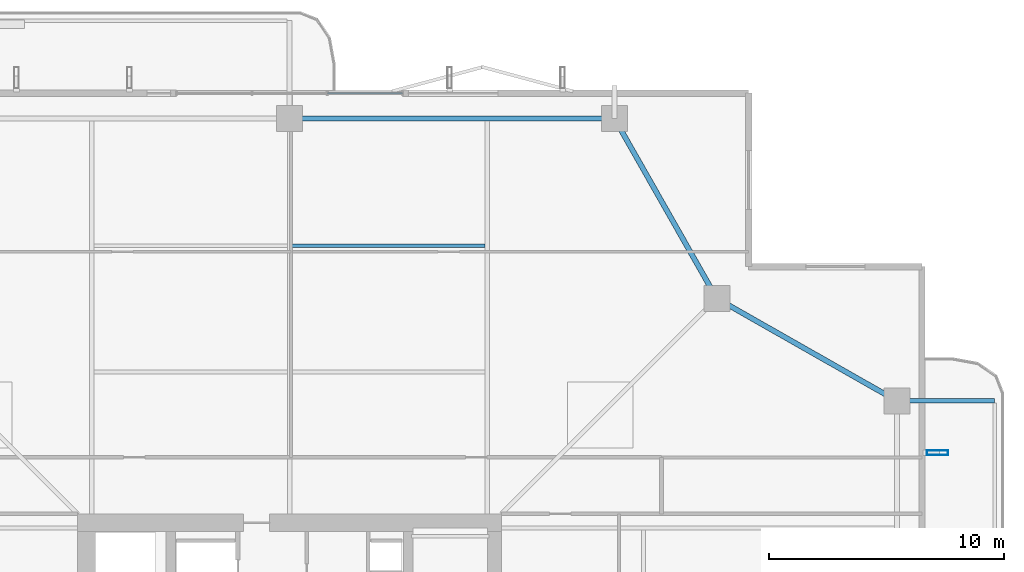
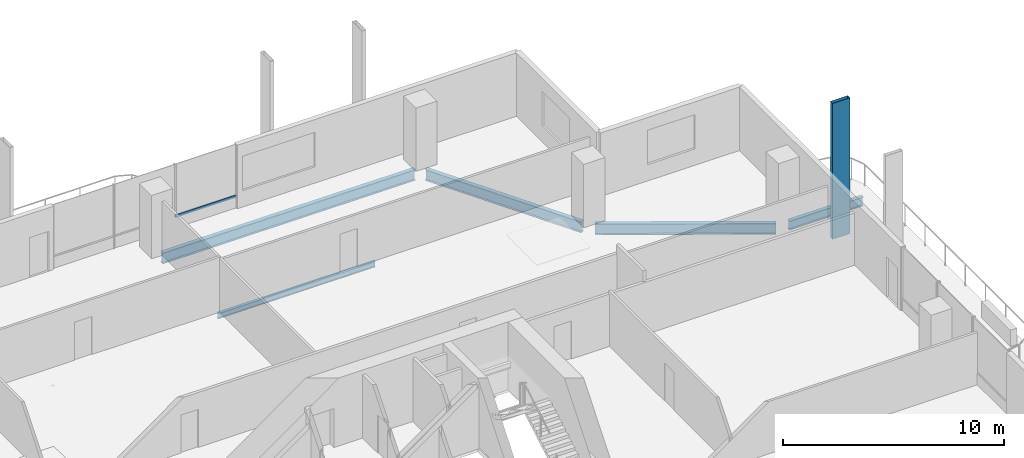
# One storey, part 14 of 24: 5 beams, 2 members, 1 element without a shape of its own.
"""IFC4 building model written with IfcOpenShell, lengths in metres."""

from ifc_helpers import new_model, si_unit, direction, frame, origin, origin_2d, place, context, subcontext, project, spatial, hollow_rectangle, i_section, extrude, material, layer, layer_set, material_profile, profile_set, type_object, element, aggregate, save


model = new_model("IFC4")

# Units and contexts
model_context = context("Model", 3, precision=1e-05, world=origin(), true_north=direction((0.0, 1.0)))
body_context = subcontext(model_context, "Body", "Model", "MODEL_VIEW")
ifc_project = project(units=[si_unit("LENGTHUNIT", "METRE"), si_unit("AREAUNIT", "SQUARE_METRE"), si_unit("VOLUMEUNIT", "CUBIC_METRE"), si_unit("PLANEANGLEUNIT", "RADIAN"), si_unit("MASSUNIT", "GRAM", prefix="KILO")], contexts=[model_context])

# Site, building, storey
site_placement = place(None, origin())
site = spatial("IfcSite", under=ifc_project, at=site_placement, CompositionType="ELEMENT")
building_placement = place(site_placement, origin())
building = spatial("IfcBuilding", under=site, at=building_placement, Name="Belovzor Exchange Tower", CompositionType="ELEMENT")
storey_placement = place(building_placement, frame((0.0, 0.0, 226.199951171875)))
storey = spatial("IfcBuildingStorey", under=building, at=storey_placement, Name="L56", CompositionType="ELEMENT", Elevation=226.199951171875)

# Beams
ifc_material_1 = material(Name="Steel S355", Category="steel")
ifc_material_profile_1 = material_profile(ifc_material_1, i_section(OverallWidth=0.199951171875, OverallDepth=0.5, WebThickness=0.01025390625, FlangeThickness=0.01611328125, at=origin_2d()))
ifc_profile_set_1 = profile_set([ifc_material_profile_1], Name="Steel S355")
beam_type_1 = type_object("IfcBeamType", Name="Planted Balcony Cantilever Beam IPE 500", PredefinedType="BEAM", material=ifc_profile_set_1)
beam_1_placement = place(storey_placement, frame((54.903076171875, 42.60009765625, -0.5), z_axis=(1.0, 0.0, 0.0), x_axis=(0.0, 1.0, 0.0)))
element("IfcBeam", 1, at=beam_1_placement, inside=storey, type_object=beam_type_1, Name="BC-500 Planted Balcony Cantilever Beam IPE 500", PredefinedType="BEAM", context=body_context, shape_type="SweptSolid", body=[
    extrude(i_section(OverallWidth=0.199951171875, OverallDepth=0.5, WebThickness=0.01025390625, FlangeThickness=0.01611328125, at=origin_2d()), origin(), (0.0, 0.0, 1.0), 3.849853515625),
])
ifc_material_2 = material(Name="Steel S355", Category="steel")
ifc_material_profile_2 = material_profile(ifc_material_2, i_section(OverallWidth=0.14990234375, OverallDepth=0.300048828125, WebThickness=0.007080078125, FlangeThickness=0.0107421875, at=origin_2d()))
ifc_profile_set_2 = profile_set([ifc_material_profile_2], Name="Steel S355")
beam_type_2 = type_object("IfcBeamType", Name="Secondary Trim Floor Joist IPE 300", PredefinedType="BEAM", material=ifc_profile_set_2)
beam_2_placement = place(storey_placement, frame((28.89501953125, 49.18701171875, -0.39990234375), z_axis=(1.0, 0.0, 0.0), x_axis=(0.0, 1.0, 0.0)))
element("IfcBeam", 2, at=beam_2_placement, inside=storey, type_object=beam_type_2, Name="FJ-300 Secondary Trim Floor Joist IPE 300", PredefinedType="BEAM", context=body_context, shape_type="SweptSolid", body=[
    extrude(i_section(OverallWidth=0.14990234375, OverallDepth=0.300048828125, WebThickness=0.007080078125, FlangeThickness=0.0107421875, at=origin_2d()), origin(), (0.0, 0.0, 1.0), 8.2099609375),
])

# Member
ifc_material_3 = material(Name="Extruded Architectural Terracotta on Steel S355 Carrier", Category="masonry")
ifc_material_profile_3 = material_profile(ifc_material_3, hollow_rectangle(XDim=0.199951171875, YDim=0.89990234375, WallThickness=0.011962890625, at=origin_2d()))
ifc_profile_set_3 = profile_set([ifc_material_profile_3], Name="Extruded Architectural Terracotta on Steel S355 Carrier")
member_type_1 = type_object("IfcMemberType", Name="Sweeping Terracotta Baguette Fin Assembly 950", PredefinedType="USERDEFINED", material=ifc_profile_set_3)
member_1_placement = place(storey_placement, frame((56.324951171875, 40.39990234375, -0.25), z_axis=(0.0, 0.0, 1.0), x_axis=(0.0, 1.0, 0.0)))
element("IfcMember", 3, at=member_1_placement, inside=storey, type_object=member_type_1, Name="FIN-TC095 Terracotta Facade Fin L56 E4", ObjectType="FIN", PredefinedType="USERDEFINED", context=body_context, shape_type="SweptSolid", body=[
    extrude(hollow_rectangle(XDim=0.199951171875, YDim=0.89990234375, WallThickness=0.011962890625, at=origin_2d()), origin(), (0.0, 0.0, 1.0), 7.5),
])

# Curtain wall, member
ifc_material_4 = material(Name="Anodised Aluminium Framing", Category="aluminium")
ifc_layer = layer(ifc_material_4, 0.179931640625)
ifc_layer_set = layer_set([ifc_layer], Name="Anodised Aluminium Framing")
curtain_wall_type = type_object("IfcCurtainWallType", Name="Recessed Loggia Low-Iron Triple-Glazed Curtain Wall", PredefinedType="NOTDEFINED", material=ifc_layer_set)
curtain_wall_placement = place(storey_placement, origin())
curtain_wall = element("IfcCurtainWall", 4, at=curtain_wall_placement, inside=storey, type_object=curtain_wall_type, Name="CW3 Recessed Loggia Low-Iron Triple-Glazed Curtain Wall L56", PredefinedType="NOTDEFINED")
ifc_material_5 = material(Name="Steel S355", Category="steel")
ifc_material_profile_4 = material_profile(ifc_material_5, hollow_rectangle(XDim=0.06005859375, YDim=0.14990234375, WallThickness=0.00390625, at=origin_2d()))
ifc_profile_set_4 = profile_set([ifc_material_profile_4], Name="Steel S355")
member_type_2 = type_object("IfcMemberType", Name="Thermally Broken Curtain Wall Transom 150x60", PredefinedType="USERDEFINED", material=ifc_profile_set_4)
member_2_placement = place(storey_placement, frame((30.407958984375, 55.669921875, 0.630126953125), z_axis=(1.0, 0.0, 0.0), x_axis=(0.0, 1.0, 0.0)))
member_2 = element("IfcMember", 5, at=member_2_placement, type_object=member_type_2, Name="CW-T150 Curtain Wall Transom 3", ObjectType="TRANSOM", PredefinedType="USERDEFINED", context=body_context, shape_type="SweptSolid", body=[
    extrude(hollow_rectangle(XDim=0.06005859375, YDim=0.14990234375, WallThickness=0.00390625, at=origin_2d()), origin(), (0.0, 0.0, 1.0), 3.18408203125),
])
aggregate(curtain_wall, [member_2])

# Beams
ifc_material_6 = material(Name="Steel S355", Category="steel")
ifc_material_profile_5 = material_profile(ifc_material_6, i_section(OverallWidth=0.219970703125, OverallDepth=0.60009765625, WebThickness=0.011962890625, FlangeThickness=0.01904296875, at=origin_2d()))
ifc_profile_set_5 = profile_set([ifc_material_profile_5], Name="Steel S355")
beam_type_3 = type_object("IfcBeamType", Name="Zone 4 Flare Primary Girder IPE 600", PredefinedType="BEAM", material=ifc_profile_set_5)
for number, where, z_axis, x_axis, name in (
    (6, (54.3369140625, 42.75, -0.550048828125), (-0.869335547884, 0.494222323641, 0.0), (-0.494222323641, -0.869335547884, 0.0), "FG-Z4 Zone 4 Flare Primary Girder IPE 600"),
    (7, (46.800048828125, 47.212890625, -0.550048828125), (-0.494222323641, 0.869335547884, 0.0), (-0.869335547884, -0.494222323641, 0.0), "FG-Z4 Zone 4 Flare Primary Girder IPE 600"),
):
    element("IfcBeam", number, at=place(storey_placement, frame(where, z_axis=z_axis, x_axis=x_axis)), inside=storey, type_object=beam_type_3, Name=name, PredefinedType="BEAM", context=body_context, shape_type="SweptSolid", body=[
        extrude(i_section(OverallWidth=0.219970703125, OverallDepth=0.60009765625, WebThickness=0.011962890625, FlangeThickness=0.01904296875, at=origin_2d()), origin(), (0.0, 0.0, 1.0), 8.19482421875),
    ])
beam_3_placement = place(storey_placement, frame((42.297119140625, 54.60009765625, -0.550048828125), z_axis=(-1.0, 0.0, 0.0), x_axis=(0.0, -1.0, 0.0)))
element("IfcBeam", 8, at=beam_3_placement, inside=storey, type_object=beam_type_3, Name="FG-Z4 Zone 4 Flare Primary Girder IPE 600", PredefinedType="BEAM", context=body_context, shape_type="SweptSolid", body=[
    extrude(i_section(OverallWidth=0.219970703125, OverallDepth=0.60009765625, WebThickness=0.011962890625, FlangeThickness=0.01904296875, at=origin_2d()), origin(), (0.0, 0.0, 1.0), 13.195068359375),
])

save(model, "model.ifc")
